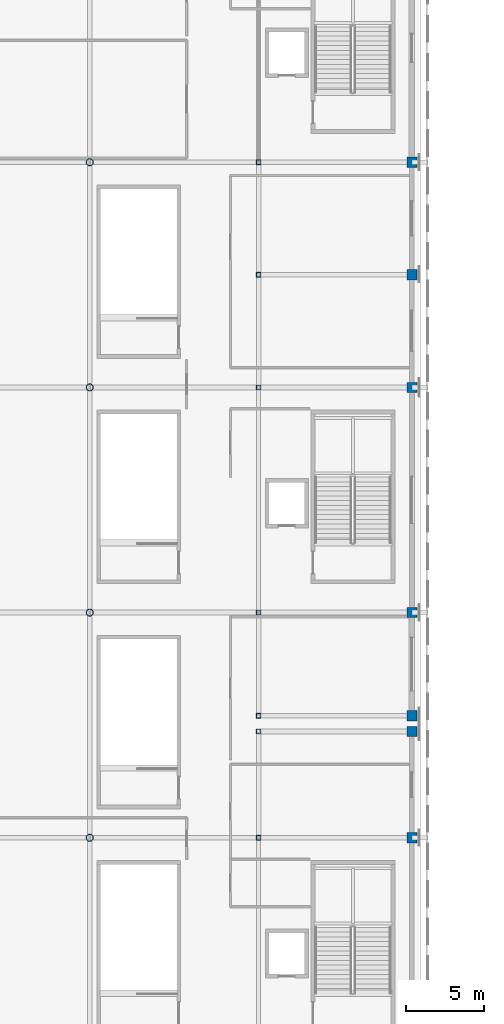
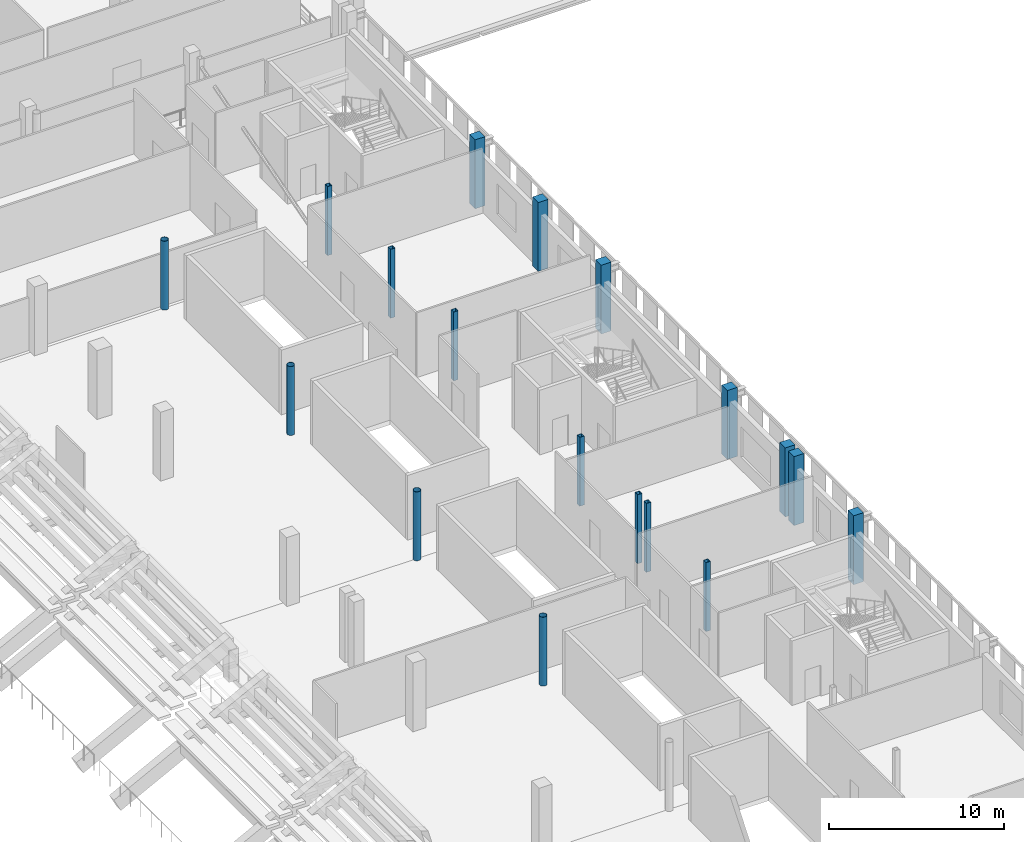
# One storey, part 9 of 74: 18 columns.
"""IFC4 building model written with IfcOpenShell, lengths in metres."""

from ifc_helpers import new_model, si_unit, direction, frame, origin, origin_2d, place, context, subcontext, project, spatial, rectangle, hollow_rectangle, hollow_circle, extrude, material, material_profile, profile_set, type_object, element, save


model = new_model("IFC4")

# Units and contexts
model_context = context("Model", 3, precision=1e-05, world=origin(), true_north=direction((0.0, 1.0)))
body_context = subcontext(model_context, "Body", "Model", "MODEL_VIEW")
ifc_project = project(units=[si_unit("LENGTHUNIT", "METRE"), si_unit("AREAUNIT", "SQUARE_METRE"), si_unit("VOLUMEUNIT", "CUBIC_METRE"), si_unit("PLANEANGLEUNIT", "RADIAN"), si_unit("MASSUNIT", "GRAM", prefix="KILO")], contexts=[model_context])

# Site, building, storey
site_placement = place(None, origin())
site = spatial("IfcSite", under=ifc_project, at=site_placement, CompositionType="ELEMENT")
building_placement = place(site_placement, origin())
building = spatial("IfcBuilding", under=site, at=building_placement, Name="Koshinbarg Plaza Stadium", CompositionType="ELEMENT")
storey_placement = place(building_placement, frame((0.0, 0.0, 15.0)))
storey = spatial("IfcBuildingStorey", under=building, at=storey_placement, Name="L03", CompositionType="ELEMENT", Elevation=15.0)

# Columns
ifc_material_1 = material(Name="Concrete C40/50", Category="concrete")
ifc_material_profile_1 = material_profile(ifc_material_1, rectangle(XDim=0.64990234375, YDim=0.64990234375, at=origin_2d()), Name="RC 650x650")
ifc_profile_set_1 = profile_set([ifc_material_profile_1], Name="Concrete C40/50")
column_type_1 = type_object("IfcColumnType", Name="COL-RC-05", PredefinedType="COLUMN", material=ifc_profile_set_1)
for number, where, z_axis, x_axis, name in (
    (1, (218.39990234375, 68.699951171875, 0.0), (0.0, 0.0, 1.0), (1.0, 0.0, 0.0), "L03 column 21/J"),
    (2, (218.39990234375, 75.5, 0.0), (0.0, 0.0, 1.0), (1.0, 0.0, 0.0), "L03 column 21/K"),
    (3, (218.39990234375, 76.5, 0.0), (0.0, 0.0, 1.0), (1.0, 0.0, 0.0), "L03 column 21/L"),
    (4, (218.39990234375, 83.10009765625, 0.0), (0.0, 0.0, 1.0), (1.0, 0.0, 0.0), "L03 column 21/M"),
    (5, (218.39990234375, 97.5, 0.0), (0.0, 0.0, 1.0), (1.0, 0.0, 0.0), "L03 column 21/N"),
    (6, (218.39990234375, 104.699951171875, 0.0), (0.0, 0.0, 1.0), (1.0, 0.0, 0.0), "L03 column 21/P"),
    (7, (218.39990234375, 111.89990234375, 0.0), (0.0, 0.0, 1.0), (1.0, 0.0, 0.0), "L03 column 21/Q"),
):
    element("IfcColumn", number, at=place(storey_placement, frame(where, z_axis=z_axis, x_axis=x_axis)), inside=storey, type_object=column_type_1, Name=name, PredefinedType="COLUMN", context=body_context, shape_type="SweptSolid", body=[
        extrude(rectangle(XDim=0.64990234375, YDim=0.64990234375, at=origin_2d()), origin(), (0.0, 0.0, 1.0), 4.800048828125),
    ])
ifc_material_2 = material(Name="Steel S355", Category="steel")
ifc_material_profile_2 = material_profile(ifc_material_2, hollow_circle(Radius=0.228515625, WallThickness=0.02001953125, at=origin_2d()), Name="CHS 457x20")
ifc_profile_set_2 = profile_set([ifc_material_profile_2], Name="Steel S355")
column_type_2 = type_object("IfcColumnType", Name="COL-STL-05", PredefinedType="COLUMN", material=ifc_profile_set_2)
for number, where, z_axis, x_axis, name in (
    (8, (197.800048828125, 68.699951171875, 0.0), (0.0, 0.0, 1.0), (1.0, 0.0, 0.0), "L03 column 19/J"),
    (9, (197.800048828125, 83.10009765625, 0.0), (0.0, 0.0, 1.0), (1.0, 0.0, 0.0), "L03 column 19/M"),
    (10, (197.800048828125, 97.5, 0.0), (0.0, 0.0, 1.0), (1.0, 0.0, 0.0), "L03 column 19/N"),
    (11, (197.800048828125, 111.89990234375, 0.0), (0.0, 0.0, 1.0), (1.0, 0.0, 0.0), "L03 column 19/Q"),
):
    element("IfcColumn", number, at=place(storey_placement, frame(where, z_axis=z_axis, x_axis=x_axis)), inside=storey, type_object=column_type_2, Name=name, PredefinedType="COLUMN", context=body_context, shape_type="SweptSolid", body=[
        extrude(hollow_circle(Radius=0.228515625, WallThickness=0.02001953125, at=origin_2d()), origin(), (0.0, 0.0, 1.0), 4.800048828125),
    ])
ifc_material_profile_3 = material_profile(ifc_material_2, hollow_rectangle(XDim=0.300048828125, YDim=0.300048828125, WallThickness=0.01611328125, at=origin_2d()), Name="SHS 300x300x16")
ifc_profile_set_3 = profile_set([ifc_material_profile_3], Name="Steel S355")
column_type_3 = type_object("IfcColumnType", Name="COL-STL-06", PredefinedType="COLUMN", material=ifc_profile_set_3)
for number, where, z_axis, x_axis, name in (
    (12, (208.60009765625, 68.699951171875, 0.0), (0.0, 0.0, 1.0), (1.0, 0.0, 0.0), "L03 column 20/J"),
    (13, (208.60009765625, 75.5, 0.0), (0.0, 0.0, 1.0), (1.0, 0.0, 0.0), "L03 column 20/K"),
    (14, (208.60009765625, 76.5, 0.0), (0.0, 0.0, 1.0), (1.0, 0.0, 0.0), "L03 column 20/L"),
    (15, (208.60009765625, 83.10009765625, 0.0), (0.0, 0.0, 1.0), (1.0, 0.0, 0.0), "L03 column 20/M"),
    (16, (208.60009765625, 97.5, 0.0), (0.0, 0.0, 1.0), (1.0, 0.0, 0.0), "L03 column 20/N"),
    (17, (208.60009765625, 104.699951171875, 0.0), (0.0, 0.0, 1.0), (1.0, 0.0, 0.0), "L03 column 20/P"),
    (18, (208.60009765625, 111.89990234375, 0.0), (0.0, 0.0, 1.0), (1.0, 0.0, 0.0), "L03 column 20/Q"),
):
    element("IfcColumn", number, at=place(storey_placement, frame(where, z_axis=z_axis, x_axis=x_axis)), inside=storey, type_object=column_type_3, Name=name, PredefinedType="COLUMN", context=body_context, shape_type="SweptSolid", body=[
        extrude(hollow_rectangle(XDim=0.300048828125, YDim=0.300048828125, WallThickness=0.01611328125, at=origin_2d()), origin(), (0.0, 0.0, 1.0), 4.800048828125),
    ])

save(model, "model.ifc")
